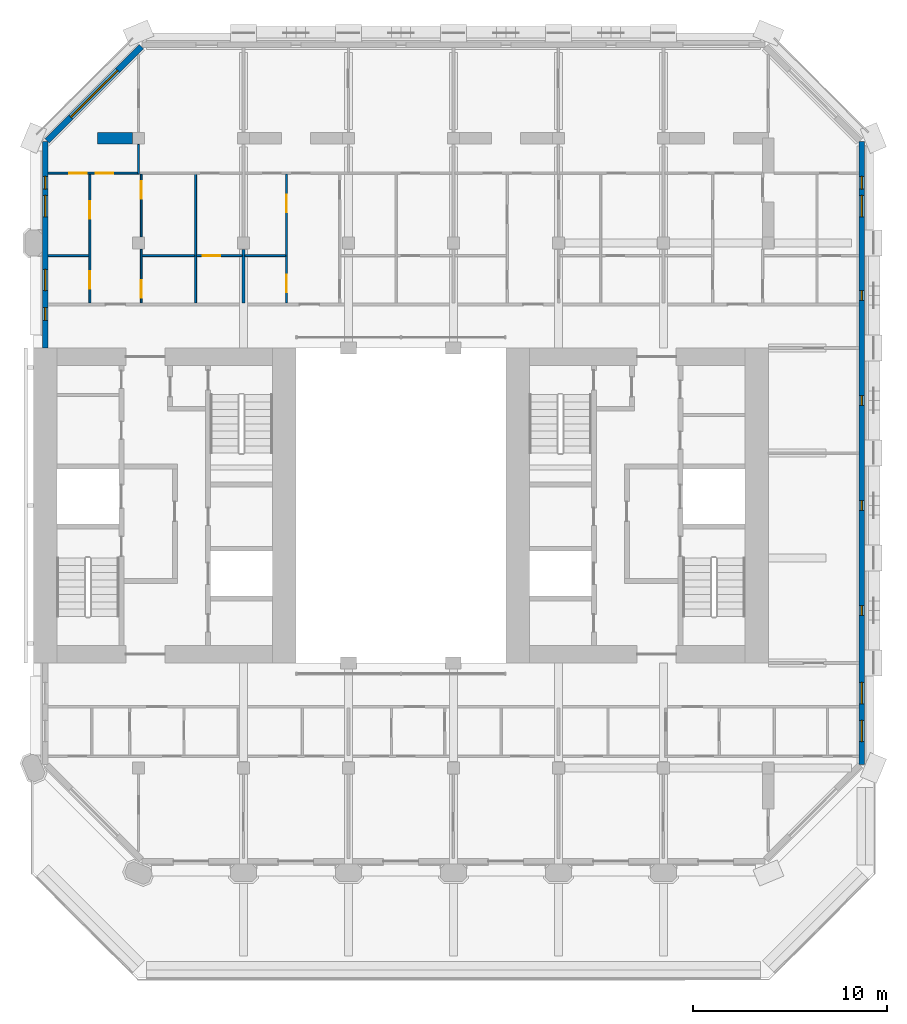
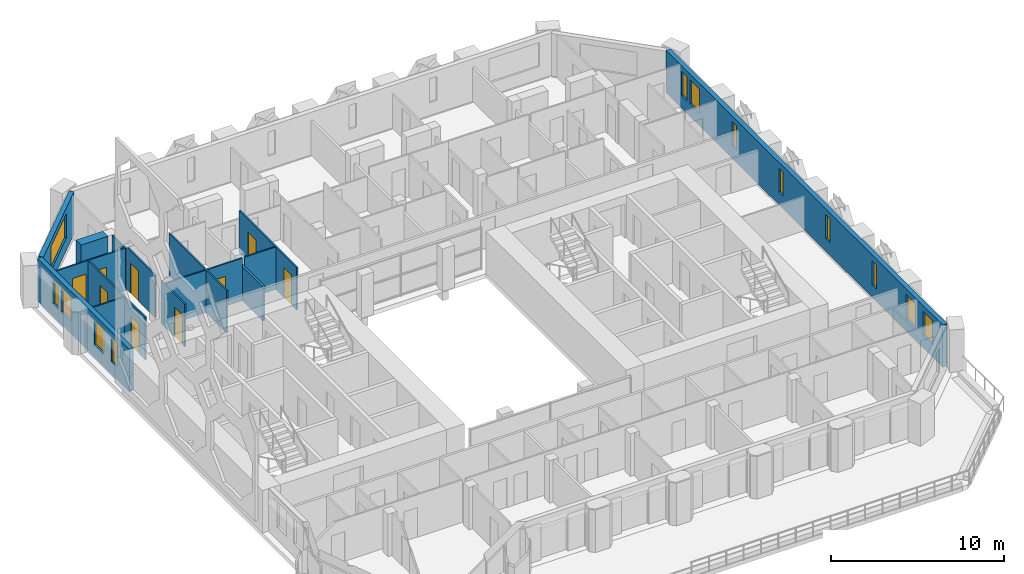
# One storey, part 11 of 17: 16 walls, 13 windows, 9 doors, 22 openings.
"""IFC4 building model written with IfcOpenShell, lengths in metres."""

from ifc_helpers import new_model, si_unit, direction, frame, frame_2d, origin, place, context, subcontext, project, spatial, rectangle, extrude, material, layer, layer_set, type_object, element, fill, save


model = new_model("IFC4")

# Units and contexts
model_context = context("Model", 3, precision=1e-05, world=origin(), true_north=direction((0.0, 1.0)))
body_context = subcontext(model_context, "Body", "Model", "MODEL_VIEW")
ifc_project = project(units=[si_unit("LENGTHUNIT", "METRE"), si_unit("AREAUNIT", "SQUARE_METRE"), si_unit("VOLUMEUNIT", "CUBIC_METRE"), si_unit("PLANEANGLEUNIT", "RADIAN"), si_unit("MASSUNIT", "GRAM", prefix="KILO")], contexts=[model_context])

# Site, building, storey
site_placement = place(None, origin())
site = spatial("IfcSite", under=ifc_project, at=site_placement, CompositionType="ELEMENT")
building_placement = place(site_placement, origin())
building = spatial("IfcBuilding", under=site, at=building_placement, Name="Tabaq Tower and Sports Hall", CompositionType="ELEMENT")
storey_placement = place(building_placement, frame((0.0, 0.0, 288.39990234375)))
storey = spatial("IfcBuildingStorey", under=building, at=storey_placement, Name="L71", CompositionType="ELEMENT", Elevation=288.39990234375)

# Wall
ifc_material_1 = material(Name="Gypsum board on steel studs", Category="steel")
ifc_layer_1 = layer(ifc_material_1, 0.10009765625)
ifc_layer_set_1 = layer_set([ifc_layer_1], Name="Partition 100 Gypsum board")
wall_type_1 = type_object("IfcWallType", Name="Partition 100 Gypsum board", PredefinedType="PARTITIONING", material=ifc_layer_set_1)
wall_1_placement = place(storey_placement, frame((10.800048828125, 41.35009765625, 0.0), z_axis=(0.0, 0.0, 1.0), x_axis=(0.0, 1.0, 0.0)))
element("IfcWall", 1, at=wall_1_placement, inside=storey, type_object=wall_type_1, Name="Partition wall L71", PredefinedType="PARTITIONING", context=body_context, shape_type="SweptSolid", body=[
    extrude(rectangle(XDim=1.52978515625, YDim=0.10009765625, at=frame_2d((0.764892578125, 0.0))), origin(), (0.0, 0.0, 1.0), 3.0),
])

# Wall, openings, doors
wall_2_placement = place(storey_placement, frame((6.15087890625, 41.39990234375, 0.0), z_axis=(0.0, 0.0, 1.0), x_axis=(1.0, 0.0, 0.0)))
wall_2 = element("IfcWall", 2, at=wall_2_placement, inside=storey, type_object=wall_type_1, Name="Partition wall L71", PredefinedType="PARTITIONING", context=body_context, shape_type="SweptSolid", body=[
    extrude(rectangle(XDim=4.59912109375, YDim=0.10009765625, at=frame_2d((2.299560546875, 0.0))), origin(), (0.0, 0.0, 1.0), 3.0),
])
opening_1_placement = place(wall_2_placement, frame((1.0791015625, 0.0, 0.0)))
opening_1 = element("IfcOpeningElement", 3, at=opening_1_placement, cuts=wall_2, Name="Opening L71-032", PredefinedType="OPENING", context=body_context, shape_type="SweptSolid", body=[
    extrude(rectangle(XDim=0.89990234375, YDim=2.10009765625, at=frame_2d((0.449951171875, 1.050048828125))), frame((0.0, 0.050048828125, 0.0), z_axis=(0.0, -1.0, 0.0), x_axis=(1.0, 0.0, 0.0)), (0.0, 0.0, 1.0), 0.10009765625),
])
opening_2_placement = place(wall_2_placement, frame((2.448974609375, 0.0, 0.0)))
opening_2 = element("IfcOpeningElement", 4, at=opening_2_placement, cuts=wall_2, Name="Opening L71-052", PredefinedType="OPENING", context=body_context, shape_type="SweptSolid", body=[
    extrude(rectangle(XDim=0.89990234375, YDim=2.10009765625, at=frame_2d((0.449951171875, 1.050048828125))), frame((0.0, 0.050048828125, 0.0), z_axis=(0.0, -1.0, 0.0), x_axis=(1.0, 0.0, 0.0)), (0.0, 0.0, 1.0), 0.10009765625),
])
ifc_material_2 = material(Name="Timber leaf in steel frame", Category="steel")
door_type_1 = type_object("IfcDoorType", Name="Internal door 900 left hand", OperationType="SINGLE_SWING_LEFT", PredefinedType="DOOR", material=ifc_material_2)
door_1_placement = place(opening_2_placement, origin())
door_1 = element("IfcDoor", 5, at=door_1_placement, inside=storey, type_object=door_type_1, Name="Internal door L71-052", OperationType="SINGLE_SWING_LEFT", OverallHeight=2.10009765625, OverallWidth=0.89990234375, PredefinedType="DOOR", context=body_context, shape_type="SweptSolid", body=[
    extrude(rectangle(XDim=0.89990234375, YDim=2.10009765625, at=frame_2d((0.449951171875, 1.050048828125))), frame((0.0, 0.02490234375, 0.0), z_axis=(0.0, -1.0, 0.0), x_axis=(1.0, 0.0, 0.0)), (0.0, 0.0, 1.0), 0.050048828125),
])
fill(opening_2, door_1)
ifc_material_3 = material(Name="Timber leaf in steel frame", Category="steel")
door_type_2 = type_object("IfcDoorType", Name="Internal door 900 right hand", OperationType="SINGLE_SWING_RIGHT", PredefinedType="DOOR", material=ifc_material_3)
door_2_placement = place(opening_1_placement, origin())
door_2 = element("IfcDoor", 6, at=door_2_placement, inside=storey, type_object=door_type_2, Name="Internal door L71-032", OperationType="SINGLE_SWING_RIGHT", OverallHeight=2.10009765625, OverallWidth=0.89990234375, PredefinedType="DOOR", context=body_context, shape_type="SweptSolid", body=[
    extrude(rectangle(XDim=0.89990234375, YDim=2.10009765625, at=frame_2d((0.449951171875, 1.050048828125))), frame((0.0, 0.02490234375, 0.0), z_axis=(0.0, -1.0, 0.0), x_axis=(1.0, 0.0, 0.0)), (0.0, 0.0, 1.0), 0.050048828125),
])
fill(opening_1, door_2)

# Wall
wall_3_placement = place(storey_placement, frame((6.15087890625, 37.14990234375, 0.0), z_axis=(0.0, 0.0, 1.0), x_axis=(1.0, 0.0, 0.0)))
element("IfcWall", 7, at=wall_3_placement, inside=storey, type_object=wall_type_1, Name="Partition wall L71", PredefinedType="PARTITIONING", context=body_context, shape_type="SweptSolid", body=[
    extrude(rectangle(XDim=2.09912109375, YDim=0.10009765625, at=frame_2d((1.049560546875, 0.0))), origin(), (0.0, 0.0, 1.0), 3.0),
])

# Wall, openings, doors
wall_4_placement = place(storey_placement, frame((8.300048828125, 34.72509765625, 0.0), z_axis=(0.0, 0.0, 1.0), x_axis=(0.0, 1.0, 0.0)))
wall_4 = element("IfcWall", 8, at=wall_4_placement, inside=storey, type_object=wall_type_1, Name="Partition wall L71", PredefinedType="PARTITIONING", context=body_context, shape_type="SweptSolid", body=[
    extrude(rectangle(XDim=6.625, YDim=0.10009765625, at=frame_2d((3.3125, 0.0))), origin(), (0.0, 0.0, 1.0), 3.0),
])
opening_3_placement = place(wall_4_placement, frame((0.72509765625, 0.0, 0.0)))
opening_3 = element("IfcOpeningElement", 9, at=opening_3_placement, cuts=wall_4, Name="Opening L71-001", PredefinedType="OPENING", context=body_context, shape_type="SweptSolid", body=[
    extrude(rectangle(XDim=0.89990234375, YDim=2.10009765625, at=frame_2d((0.449951171875, 1.050048828125))), frame((0.0, 0.050048828125, 0.0), z_axis=(0.0, -1.0, 0.0), x_axis=(1.0, 0.0, 0.0)), (0.0, 0.0, 1.0), 0.10009765625),
])
opening_4_placement = place(wall_4_placement, frame((4.3291015625, 0.0, 0.0)))
opening_4 = element("IfcOpeningElement", 10, at=opening_4_placement, cuts=wall_4, Name="Opening L71-034", PredefinedType="OPENING", context=body_context, shape_type="SweptSolid", body=[
    extrude(rectangle(XDim=0.89990234375, YDim=2.10009765625, at=frame_2d((0.449951171875, 1.050048828125))), frame((0.0, 0.050048828125, 0.0), z_axis=(0.0, -1.0, 0.0), x_axis=(1.0, 0.0, 0.0)), (0.0, 0.0, 1.0), 0.10009765625),
])
door_3_placement = place(opening_3_placement, origin())
door_3 = element("IfcDoor", 11, at=door_3_placement, inside=storey, type_object=door_type_1, Name="Internal door L71-001", OperationType="SINGLE_SWING_LEFT", OverallHeight=2.10009765625, OverallWidth=0.89990234375, PredefinedType="DOOR", context=body_context, shape_type="SweptSolid", body=[
    extrude(rectangle(XDim=0.89990234375, YDim=2.10009765625, at=frame_2d((0.449951171875, 1.050048828125))), frame((0.0, 0.02490234375, 0.0), z_axis=(0.0, -1.0, 0.0), x_axis=(1.0, 0.0, 0.0)), (0.0, 0.0, 1.0), 0.050048828125),
])
fill(opening_3, door_3)
door_4_placement = place(opening_4_placement, origin())
door_4 = element("IfcDoor", 12, at=door_4_placement, inside=storey, type_object=door_type_2, Name="Internal door L71-034", OperationType="SINGLE_SWING_RIGHT", OverallHeight=2.10009765625, OverallWidth=0.89990234375, PredefinedType="DOOR", context=body_context, shape_type="SweptSolid", body=[
    extrude(rectangle(XDim=0.89990234375, YDim=2.10009765625, at=frame_2d((0.449951171875, 1.050048828125))), frame((0.0, 0.02490234375, 0.0), z_axis=(0.0, -1.0, 0.0), x_axis=(1.0, 0.0, 0.0)), (0.0, 0.0, 1.0), 0.050048828125),
])
fill(opening_4, door_4)

# Wall, opening, door
wall_5_placement = place(storey_placement, frame((10.93994140625, 34.72509765625, 0.0), z_axis=(0.0, 0.0, 1.0), x_axis=(0.0, 1.0, 0.0)))
wall_5 = element("IfcWall", 13, at=wall_5_placement, inside=storey, type_object=wall_type_1, Name="Partition wall L71", PredefinedType="PARTITIONING", context=body_context, shape_type="SweptSolid", body=[
    extrude(rectangle(XDim=2.7548828125, YDim=0.10009765625, at=frame_2d((1.37744140625, 0.0))), origin(), (0.0, 0.0, 1.0), 3.0),
])
opening_5_placement = place(wall_5_placement, frame((0.25, 0.0, 0.0)))
opening_5 = element("IfcOpeningElement", 14, at=opening_5_placement, cuts=wall_5, Name="Opening L71-003", PredefinedType="OPENING", context=body_context, shape_type="SweptSolid", body=[
    extrude(rectangle(XDim=0.89990234375, YDim=2.10009765625, at=frame_2d((0.449951171875, 1.050048828125))), frame((0.0, 0.050048828125, 0.0), z_axis=(0.0, -1.0, 0.0), x_axis=(1.0, 0.0, 0.0)), (0.0, 0.0, 1.0), 0.10009765625),
])
door_5_placement = place(opening_5_placement, origin())
door_5 = element("IfcDoor", 15, at=door_5_placement, inside=storey, type_object=door_type_2, Name="Internal door L71-003", OperationType="SINGLE_SWING_RIGHT", OverallHeight=2.10009765625, OverallWidth=0.89990234375, PredefinedType="DOOR", context=body_context, shape_type="SweptSolid", body=[
    extrude(rectangle(XDim=0.89990234375, YDim=2.10009765625, at=frame_2d((0.449951171875, 1.050048828125))), frame((0.0, 0.02490234375, 0.0), z_axis=(0.0, -1.0, 0.0), x_axis=(1.0, 0.0, 0.0)), (0.0, 0.0, 1.0), 0.050048828125),
])
fill(opening_5, door_5)

wall_6_placement = place(storey_placement, frame((10.93994140625, 38.1201171875, 0.0), z_axis=(0.0, 0.0, 1.0), x_axis=(0.0, 1.0, 0.0)))
wall_6 = element("IfcWall", 16, at=wall_6_placement, inside=storey, type_object=wall_type_1, Name="Partition wall L71", PredefinedType="PARTITIONING", context=body_context, shape_type="SweptSolid", body=[
    extrude(rectangle(XDim=3.22998046875, YDim=0.10009765625, at=frame_2d((1.614990234375, 0.0))), origin(), (0.0, 0.0, 1.0), 3.0),
])
opening_6_placement = place(wall_6_placement, frame((1.965087890625, 0.0, 0.0)))
opening_6 = element("IfcOpeningElement", 17, at=opening_6_placement, cuts=wall_6, Name="Opening L71-002", PredefinedType="OPENING", context=body_context, shape_type="SweptSolid", body=[
    extrude(rectangle(XDim=0.89990234375, YDim=2.10009765625, at=frame_2d((0.449951171875, 1.050048828125))), frame((0.0, 0.050048828125, 0.0), z_axis=(0.0, -1.0, 0.0), x_axis=(1.0, 0.0, 0.0)), (0.0, 0.0, 1.0), 0.10009765625),
])
door_6_placement = place(opening_6_placement, origin())
door_6 = element("IfcDoor", 18, at=door_6_placement, inside=storey, type_object=door_type_2, Name="Internal door L71-002", OperationType="SINGLE_SWING_RIGHT", OverallHeight=2.10009765625, OverallWidth=0.89990234375, PredefinedType="DOOR", context=body_context, shape_type="SweptSolid", body=[
    extrude(rectangle(XDim=0.89990234375, YDim=2.10009765625, at=frame_2d((0.449951171875, 1.050048828125))), frame((0.0, 0.02490234375, 0.0), z_axis=(0.0, -1.0, 0.0), x_axis=(1.0, 0.0, 0.0)), (0.0, 0.0, 1.0), 0.050048828125),
])
fill(opening_6, door_6)

# Walls
wall_7_placement = place(storey_placement, frame((10.989990234375, 37.14990234375, 0.0), z_axis=(0.0, 0.0, 1.0), x_axis=(1.0, 0.0, 0.0)))
element("IfcWall", 19, at=wall_7_placement, inside=storey, type_object=wall_type_1, Name="Partition wall L71", PredefinedType="PARTITIONING", context=body_context, shape_type="SweptSolid", body=[
    extrude(rectangle(XDim=2.699951171875, YDim=0.10009765625, at=frame_2d((1.35009765625, 0.0))), origin(), (0.0, 0.0, 1.0), 3.0),
])
wall_8_placement = place(storey_placement, frame((13.739990234375, 34.72509765625, 0.0), z_axis=(0.0, 0.0, 1.0), x_axis=(0.0, 1.0, 0.0)))
element("IfcWall", 20, at=wall_8_placement, inside=storey, type_object=wall_type_1, Name="Partition wall L71", PredefinedType="PARTITIONING", context=body_context, shape_type="SweptSolid", body=[
    extrude(rectangle(XDim=6.625, YDim=0.10009765625, at=frame_2d((3.3125, 0.0))), origin(), (0.0, 0.0, 1.0), 3.0),
])

# Wall, opening, door
wall_9_placement = place(storey_placement, frame((13.7900390625, 37.14990234375, 0.0), z_axis=(0.0, 0.0, 1.0), x_axis=(1.0, 0.0, 0.0)))
wall_9 = element("IfcWall", 21, at=wall_9_placement, inside=storey, type_object=wall_type_1, Name="Partition wall L71", PredefinedType="PARTITIONING", context=body_context, shape_type="SweptSolid", body=[
    extrude(rectangle(XDim=2.3349609375, YDim=0.10009765625, at=frame_2d((1.16748046875, 0.0))), origin(), (0.0, 0.0, 1.0), 3.0),
])
opening_7_placement = place(wall_9_placement, frame((0.320068359375, 0.0, 0.0)))
opening_7 = element("IfcOpeningElement", 22, at=opening_7_placement, cuts=wall_9, Name="Opening L71-004", PredefinedType="OPENING", context=body_context, shape_type="SweptSolid", body=[
    extrude(rectangle(XDim=0.89990234375, YDim=2.10009765625, at=frame_2d((0.449951171875, 1.050048828125))), frame((0.0, 0.050048828125, 0.0), z_axis=(0.0, -1.0, 0.0), x_axis=(1.0, 0.0, 0.0)), (0.0, 0.0, 1.0), 0.10009765625),
])
door_7_placement = place(opening_7_placement, origin())
door_7 = element("IfcDoor", 23, at=door_7_placement, inside=storey, type_object=door_type_2, Name="Internal door L71-004", OperationType="SINGLE_SWING_RIGHT", OverallHeight=2.10009765625, OverallWidth=0.89990234375, PredefinedType="DOOR", context=body_context, shape_type="SweptSolid", body=[
    extrude(rectangle(XDim=0.89990234375, YDim=2.10009765625, at=frame_2d((0.449951171875, 1.050048828125))), frame((0.0, 0.02490234375, 0.0), z_axis=(0.0, -1.0, 0.0), x_axis=(1.0, 0.0, 0.0)), (0.0, 0.0, 1.0), 0.050048828125),
])
fill(opening_7, door_7)

# Wall
wall_10_placement = place(storey_placement, frame((16.27490234375, 37.14990234375, 0.0), z_axis=(0.0, 0.0, 1.0), x_axis=(1.0, 0.0, 0.0)))
element("IfcWall", 24, at=wall_10_placement, inside=storey, type_object=wall_type_1, Name="Partition wall L71", PredefinedType="PARTITIONING", context=body_context, shape_type="SweptSolid", body=[
    extrude(rectangle(XDim=2.087158203125, YDim=0.10009765625, at=frame_2d((1.04345703125, 0.0))), origin(), (0.0, 0.0, 1.0), 3.0),
])

# Wall, openings, doors
wall_11_placement = place(storey_placement, frame((18.412109375, 34.72509765625, 0.0), z_axis=(0.0, 0.0, 1.0), x_axis=(0.0, 1.0, 0.0)))
wall_11 = element("IfcWall", 25, at=wall_11_placement, inside=storey, type_object=wall_type_1, Name="Partition wall L71", PredefinedType="PARTITIONING", context=body_context, shape_type="SweptSolid", body=[
    extrude(rectangle(XDim=6.625, YDim=0.10009765625, at=frame_2d((3.3125, 0.0))), origin(), (0.0, 0.0, 1.0), 3.0),
])
opening_8_placement = place(wall_11_placement, frame((0.55810546875, 0.0, 0.0)))
opening_8 = element("IfcOpeningElement", 26, at=opening_8_placement, cuts=wall_11, Name="Opening L71-005", PredefinedType="OPENING", context=body_context, shape_type="SweptSolid", body=[
    extrude(rectangle(XDim=0.89990234375, YDim=2.10009765625, at=frame_2d((0.449951171875, 1.050048828125))), frame((0.0, 0.050048828125, 0.0), z_axis=(0.0, -1.0, 0.0), x_axis=(1.0, 0.0, 0.0)), (0.0, 0.0, 1.0), 0.10009765625),
])
opening_9_placement = place(wall_11_placement, frame((4.673095703125, 0.0, 0.0)))
opening_9 = element("IfcOpeningElement", 27, at=opening_9_placement, cuts=wall_11, Name="Opening L71-038", PredefinedType="OPENING", context=body_context, shape_type="SweptSolid", body=[
    extrude(rectangle(XDim=0.89990234375, YDim=2.10009765625, at=frame_2d((0.449951171875, 1.050048828125))), frame((0.0, 0.050048828125, 0.0), z_axis=(0.0, -1.0, 0.0), x_axis=(1.0, 0.0, 0.0)), (0.0, 0.0, 1.0), 0.10009765625),
])
door_8_placement = place(opening_9_placement, origin())
door_8 = element("IfcDoor", 28, at=door_8_placement, inside=storey, type_object=door_type_1, Name="Internal door L71-038", OperationType="SINGLE_SWING_LEFT", OverallHeight=2.10009765625, OverallWidth=0.89990234375, PredefinedType="DOOR", context=body_context, shape_type="SweptSolid", body=[
    extrude(rectangle(XDim=0.89990234375, YDim=2.10009765625, at=frame_2d((0.449951171875, 1.050048828125))), frame((0.0, 0.02490234375, 0.0), z_axis=(0.0, -1.0, 0.0), x_axis=(1.0, 0.0, 0.0)), (0.0, 0.0, 1.0), 0.050048828125),
])
fill(opening_9, door_8)
door_9_placement = place(opening_8_placement, origin())
door_9 = element("IfcDoor", 29, at=door_9_placement, inside=storey, type_object=door_type_2, Name="Internal door L71-005", OperationType="SINGLE_SWING_RIGHT", OverallHeight=2.10009765625, OverallWidth=0.89990234375, PredefinedType="DOOR", context=body_context, shape_type="SweptSolid", body=[
    extrude(rectangle(XDim=0.89990234375, YDim=2.10009765625, at=frame_2d((0.449951171875, 1.050048828125))), frame((0.0, 0.02490234375, 0.0), z_axis=(0.0, -1.0, 0.0), x_axis=(1.0, 0.0, 0.0)), (0.0, 0.0, 1.0), 0.050048828125),
])
fill(opening_8, door_9)

# Walls
ifc_material_4 = material(Name="Concrete C40/50", Category="concrete")
ifc_layer_2 = layer(ifc_material_4, 0.60009765625)
ifc_layer_set_2 = layer_set([ifc_layer_2], Name="RC TRANSFER WALL 600 C40/50")
wall_type_2 = type_object("IfcWallType", Name="RC TRANSFER WALL 600 C40/50", PredefinedType="SHEAR", material=ifc_layer_set_2)
wall_12_placement = place(storey_placement, frame((8.699951171875, 43.199951171875, 0.0), z_axis=(0.0, 0.0, 1.0), x_axis=(1.0, 0.0, 0.0)))
element("IfcWall", 30, at=wall_12_placement, inside=storey, type_object=wall_type_2, Name="Transfer Wall L71 North 6", PredefinedType="SHEAR", context=body_context, shape_type="SweptSolid", body=[
    extrude(rectangle(XDim=1.800048828125, YDim=0.60009765625, at=frame_2d((0.89990234375, 0.0))), origin(), (0.0, 0.0, 1.0), 3.0),
])
ifc_material_5 = material(Name="Blockwork", Category="masonry")
ifc_layer_3 = layer(ifc_material_5, 0.14990234375)
ifc_layer_set_3 = layer_set([ifc_layer_3], Name="Separating wall 150 Blockwork")
wall_type_3 = type_object("IfcWallType", Name="Separating wall 150 Blockwork", PredefinedType="PARTITIONING", material=ifc_layer_set_3)
wall_13_placement = place(storey_placement, frame((16.199951171875, 34.72509765625, 0.0), z_axis=(0.0, 0.0, 1.0), x_axis=(0.0, 1.0, 0.0)))
element("IfcWall", 31, at=wall_13_placement, inside=storey, type_object=wall_type_3, Name="Separating wall L71", PredefinedType="PARTITIONING", context=body_context, shape_type="SweptSolid", body=[
    extrude(rectangle(XDim=2.7548828125, YDim=0.14990234375, at=frame_2d((1.37744140625, 0.0))), origin(), (0.0, 0.0, 1.0), 2.400146484375),
])

# Wall, openings, windows
ifc_material_6 = material(Name="White precast concrete C60/75", Category="concrete")
ifc_layer_4 = layer(ifc_material_6, 0.300048828125)
ifc_layer_set_4 = layer_set([ifc_layer_4], Name="White precast concrete C60/75 external wall 300")
wall_type_4 = type_object("IfcWallType", Name="White precast concrete C60/75 external wall 300", PredefinedType="SOLIDWALL", material=ifc_layer_set_4)
wall_14_placement = place(storey_placement, frame((48.0, 10.986328125, 0.0), z_axis=(0.0, 0.0, 1.0), x_axis=(0.0, 1.0, 0.0)))
wall_14 = element("IfcWall", 32, at=wall_14_placement, inside=storey, type_object=wall_type_4, Name="External Wall L71 E", PredefinedType="SOLIDWALL", context=body_context, shape_type="SweptSolid", body=[
    extrude(rectangle(XDim=32.02734375, YDim=0.300048828125, at=frame_2d((16.013671875, 0.0))), origin(), (0.0, 0.0, 1.0), 3.0),
])
opening_10_placement = place(wall_14_placement, frame((1.16357421875, 0.0, 0.89990234375)))
opening_10 = element("IfcOpeningElement", 33, at=opening_10_placement, cuts=wall_14, Name="Opening W1B", PredefinedType="OPENING", context=body_context, shape_type="SweptSolid", body=[
    extrude(rectangle(XDim=1.10009765625, YDim=1.699951171875, at=frame_2d((0.550048828125, 0.85009765625))), frame((0.0, 0.16015625, 0.0), z_axis=(0.0, -1.0, 0.0), x_axis=(1.0, 0.0, 0.0)), (0.0, 0.0, 1.0), 0.320068359375),
])
opening_11_placement = place(wall_14_placement, frame((3.113525390625, 0.0, 0.89990234375)))
opening_11 = element("IfcOpeningElement", 34, at=opening_11_placement, cuts=wall_14, Name="Opening W1B", PredefinedType="OPENING", context=body_context, shape_type="SweptSolid", body=[
    extrude(rectangle(XDim=1.10009765625, YDim=1.699951171875, at=frame_2d((0.550048828125, 0.85009765625))), frame((0.0, 0.16015625, 0.0), z_axis=(0.0, -1.0, 0.0), x_axis=(1.0, 0.0, 0.0)), (0.0, 0.0, 1.0), 0.320068359375),
])
opening_12_placement = place(wall_14_placement, frame((7.66357421875, 0.0, 0.89990234375)))
opening_12 = element("IfcOpeningElement", 35, at=opening_12_placement, cuts=wall_14, Name="Opening W1E", PredefinedType="OPENING", context=body_context, shape_type="SweptSolid", body=[
    extrude(rectangle(XDim=0.5, YDim=1.699951171875, at=frame_2d((0.25, 0.85009765625))), frame((0.0, 0.16015625, 0.0), z_axis=(0.0, -1.0, 0.0), x_axis=(1.0, 0.0, 0.0)), (0.0, 0.0, 1.0), 0.320068359375),
])
opening_13_placement = place(wall_14_placement, frame((13.063720703125, 0.0, 0.89990234375)))
opening_13 = element("IfcOpeningElement", 36, at=opening_13_placement, cuts=wall_14, Name="Opening W1E", PredefinedType="OPENING", context=body_context, shape_type="SweptSolid", body=[
    extrude(rectangle(XDim=0.5, YDim=1.699951171875, at=frame_2d((0.25, 0.85009765625))), frame((0.0, 0.16015625, 0.0), z_axis=(0.0, -1.0, 0.0), x_axis=(1.0, 0.0, 0.0)), (0.0, 0.0, 1.0), 0.320068359375),
])
opening_14_placement = place(wall_14_placement, frame((18.463623046875, 0.0, 0.89990234375)))
opening_14 = element("IfcOpeningElement", 37, at=opening_14_placement, cuts=wall_14, Name="Opening W1E", PredefinedType="OPENING", context=body_context, shape_type="SweptSolid", body=[
    extrude(rectangle(XDim=0.5, YDim=1.699951171875, at=frame_2d((0.25, 0.85009765625))), frame((0.0, 0.16015625, 0.0), z_axis=(0.0, -1.0, 0.0), x_axis=(1.0, 0.0, 0.0)), (0.0, 0.0, 1.0), 0.320068359375),
])
opening_15_placement = place(wall_14_placement, frame((23.863525390625, 0.0, 0.89990234375)))
opening_15 = element("IfcOpeningElement", 38, at=opening_15_placement, cuts=wall_14, Name="Opening W1E", PredefinedType="OPENING", context=body_context, shape_type="SweptSolid", body=[
    extrude(rectangle(XDim=0.5, YDim=1.699951171875, at=frame_2d((0.25, 0.85009765625))), frame((0.0, 0.16015625, 0.0), z_axis=(0.0, -1.0, 0.0), x_axis=(1.0, 0.0, 0.0)), (0.0, 0.0, 1.0), 0.320068359375),
])
opening_16_placement = place(wall_14_placement, frame((28.16357421875, 0.0, 0.89990234375)))
opening_16 = element("IfcOpeningElement", 39, at=opening_16_placement, cuts=wall_14, Name="Opening W1B", PredefinedType="OPENING", context=body_context, shape_type="SweptSolid", body=[
    extrude(rectangle(XDim=1.10009765625, YDim=1.699951171875, at=frame_2d((0.550048828125, 0.85009765625))), frame((0.0, 0.16015625, 0.0), z_axis=(0.0, -1.0, 0.0), x_axis=(1.0, 0.0, 0.0)), (0.0, 0.0, 1.0), 0.320068359375),
])
opening_17_placement = place(wall_14_placement, frame((29.588623046875, 0.0, 0.89990234375)))
opening_17 = element("IfcOpeningElement", 40, at=opening_17_placement, cuts=wall_14, Name="Opening W1C", PredefinedType="OPENING", context=body_context, shape_type="SweptSolid", body=[
    extrude(rectangle(XDim=0.64990234375, YDim=1.699951171875, at=frame_2d((0.324951171875, 0.85009765625))), frame((0.0, 0.16015625, 0.0), z_axis=(0.0, -1.0, 0.0), x_axis=(1.0, 0.0, 0.0)), (0.0, 0.0, 1.0), 0.320068359375),
])
ifc_material_7 = material(Name="Aluminium framed clear glazing", Category="aluminium")
window_type_1 = type_object("IfcWindowType", Name="Window W1B", PartitioningType="SINGLE_PANEL", PredefinedType="WINDOW", material=ifc_material_7)
window_1_placement = place(opening_10_placement, origin())
window_1 = element("IfcWindow", 41, at=window_1_placement, inside=storey, type_object=window_type_1, Name="Window W1B L71", OverallHeight=1.699951171875, OverallWidth=1.10009765625, PartitioningType="SINGLE_PANEL", PredefinedType="WINDOW", context=body_context, shape_type="SweptSolid", body=[
    extrude(rectangle(XDim=1.10009765625, YDim=1.699951171875, at=frame_2d((0.550048828125, 0.85009765625))), frame((0.0, 0.030029296875, 0.0), z_axis=(0.0, -1.0, 0.0), x_axis=(1.0, 0.0, 0.0)), (0.0, 0.0, 1.0), 0.06005859375),
])
fill(opening_10, window_1)
window_2_placement = place(opening_11_placement, origin())
window_2 = element("IfcWindow", 42, at=window_2_placement, inside=storey, type_object=window_type_1, Name="Window W1B L71", OverallHeight=1.699951171875, OverallWidth=1.10009765625, PartitioningType="SINGLE_PANEL", PredefinedType="WINDOW", context=body_context, shape_type="SweptSolid", body=[
    extrude(rectangle(XDim=1.10009765625, YDim=1.699951171875, at=frame_2d((0.550048828125, 0.85009765625))), frame((0.0, 0.030029296875, 0.0), z_axis=(0.0, -1.0, 0.0), x_axis=(1.0, 0.0, 0.0)), (0.0, 0.0, 1.0), 0.06005859375),
])
fill(opening_11, window_2)
window_3_placement = place(opening_16_placement, origin())
window_3 = element("IfcWindow", 43, at=window_3_placement, inside=storey, type_object=window_type_1, Name="Window W1B L71", OverallHeight=1.699951171875, OverallWidth=1.10009765625, PartitioningType="SINGLE_PANEL", PredefinedType="WINDOW", context=body_context, shape_type="SweptSolid", body=[
    extrude(rectangle(XDim=1.10009765625, YDim=1.699951171875, at=frame_2d((0.550048828125, 0.85009765625))), frame((0.0, 0.030029296875, 0.0), z_axis=(0.0, -1.0, 0.0), x_axis=(1.0, 0.0, 0.0)), (0.0, 0.0, 1.0), 0.06005859375),
])
fill(opening_16, window_3)
ifc_material_8 = material(Name="Aluminium framed clear glazing", Category="aluminium")
window_type_2 = type_object("IfcWindowType", Name="Window W1C", PartitioningType="SINGLE_PANEL", PredefinedType="WINDOW", material=ifc_material_8)
window_4_placement = place(opening_17_placement, origin())
window_4 = element("IfcWindow", 44, at=window_4_placement, inside=storey, type_object=window_type_2, Name="Window W1C L71", OverallHeight=1.699951171875, OverallWidth=0.64990234375, PartitioningType="SINGLE_PANEL", PredefinedType="WINDOW", context=body_context, shape_type="SweptSolid", body=[
    extrude(rectangle(XDim=0.64990234375, YDim=1.699951171875, at=frame_2d((0.324951171875, 0.85009765625))), frame((0.0, 0.030029296875, 0.0), z_axis=(0.0, -1.0, 0.0), x_axis=(1.0, 0.0, 0.0)), (0.0, 0.0, 1.0), 0.06005859375),
])
fill(opening_17, window_4)
ifc_material_9 = material(Name="Aluminium framed clear glazing", Category="aluminium")
window_type_3 = type_object("IfcWindowType", Name="Window W1E", PartitioningType="SINGLE_PANEL", PredefinedType="WINDOW", material=ifc_material_9)
window_5_placement = place(opening_12_placement, origin())
window_5 = element("IfcWindow", 45, at=window_5_placement, inside=storey, type_object=window_type_3, Name="Window W1E L71", OverallHeight=1.699951171875, OverallWidth=0.5, PartitioningType="SINGLE_PANEL", PredefinedType="WINDOW", context=body_context, shape_type="SweptSolid", body=[
    extrude(rectangle(XDim=0.5, YDim=1.699951171875, at=frame_2d((0.25, 0.85009765625))), frame((0.0, 0.030029296875, 0.0), z_axis=(0.0, -1.0, 0.0), x_axis=(1.0, 0.0, 0.0)), (0.0, 0.0, 1.0), 0.06005859375),
])
fill(opening_12, window_5)
window_6_placement = place(opening_13_placement, origin())
window_6 = element("IfcWindow", 46, at=window_6_placement, inside=storey, type_object=window_type_3, Name="Window W1E L71", OverallHeight=1.699951171875, OverallWidth=0.5, PartitioningType="SINGLE_PANEL", PredefinedType="WINDOW", context=body_context, shape_type="SweptSolid", body=[
    extrude(rectangle(XDim=0.5, YDim=1.699951171875, at=frame_2d((0.25, 0.85009765625))), frame((0.0, 0.030029296875, 0.0), z_axis=(0.0, -1.0, 0.0), x_axis=(1.0, 0.0, 0.0)), (0.0, 0.0, 1.0), 0.06005859375),
])
fill(opening_13, window_6)
window_7_placement = place(opening_14_placement, origin())
window_7 = element("IfcWindow", 47, at=window_7_placement, inside=storey, type_object=window_type_3, Name="Window W1E L71", OverallHeight=1.699951171875, OverallWidth=0.5, PartitioningType="SINGLE_PANEL", PredefinedType="WINDOW", context=body_context, shape_type="SweptSolid", body=[
    extrude(rectangle(XDim=0.5, YDim=1.699951171875, at=frame_2d((0.25, 0.85009765625))), frame((0.0, 0.030029296875, 0.0), z_axis=(0.0, -1.0, 0.0), x_axis=(1.0, 0.0, 0.0)), (0.0, 0.0, 1.0), 0.06005859375),
])
fill(opening_14, window_7)
window_8_placement = place(opening_15_placement, origin())
window_8 = element("IfcWindow", 48, at=window_8_placement, inside=storey, type_object=window_type_3, Name="Window W1E L71", OverallHeight=1.699951171875, OverallWidth=0.5, PartitioningType="SINGLE_PANEL", PredefinedType="WINDOW", context=body_context, shape_type="SweptSolid", body=[
    extrude(rectangle(XDim=0.5, YDim=1.699951171875, at=frame_2d((0.25, 0.85009765625))), frame((0.0, 0.030029296875, 0.0), z_axis=(0.0, -1.0, 0.0), x_axis=(1.0, 0.0, 0.0)), (0.0, 0.0, 1.0), 0.06005859375),
])
fill(opening_15, window_8)

# Wall, opening, window
wall_15_placement = place(storey_placement, frame((10.949462890625, 47.901123046875, 0.0), z_axis=(0.0, 0.0, 1.0), x_axis=(-0.707106781187, -0.707106781187, 0.0)))
wall_15 = element("IfcWall", 49, at=wall_15_placement, inside=storey, type_object=wall_type_4, Name="External Wall L71 NW", PredefinedType="SOLIDWALL", context=body_context, shape_type="SweptSolid", body=[
    extrude(rectangle(XDim=6.85986328125, YDim=0.300048828125, at=frame_2d((3.429931640625, 0.0))), origin(), (0.0, 0.0, 1.0), 3.0),
])
opening_18_placement = place(wall_15_placement, frame((1.729736328125, 0.0, 0.89990234375)))
opening_18 = element("IfcOpeningElement", 50, at=opening_18_placement, cuts=wall_15, Name="Opening W1A", PredefinedType="OPENING", context=body_context, shape_type="SweptSolid", body=[
    extrude(rectangle(XDim=3.39990234375, YDim=1.699951171875, at=frame_2d((1.699951171875, 0.85009765625))), frame((0.0, 0.16015625, 0.0), z_axis=(0.0, -1.0, 0.0), x_axis=(1.0, 0.0, 0.0)), (0.0, 0.0, 1.0), 0.320068359375),
])
ifc_material_10 = material(Name="Aluminium framed clear glazing", Category="aluminium")
window_type_4 = type_object("IfcWindowType", Name="Window W1A", PartitioningType="SINGLE_PANEL", PredefinedType="WINDOW", material=ifc_material_10)
window_9_placement = place(opening_18_placement, origin())
window_9 = element("IfcWindow", 51, at=window_9_placement, inside=storey, type_object=window_type_4, Name="Window W1A L71", OverallHeight=1.699951171875, OverallWidth=3.39990234375, PartitioningType="SINGLE_PANEL", PredefinedType="WINDOW", context=body_context, shape_type="SweptSolid", body=[
    extrude(rectangle(XDim=3.39990234375, YDim=1.699951171875, at=frame_2d((1.699951171875, 0.85009765625))), frame((0.0, 0.030029296875, 0.0), z_axis=(0.0, -1.0, 0.0), x_axis=(1.0, 0.0, 0.0)), (0.0, 0.0, 1.0), 0.06005859375),
])
fill(opening_18, window_9)

# Wall, openings, windows
wall_16_placement = place(storey_placement, frame((6.0, 43.013671875, 0.0), z_axis=(0.0, 0.0, 1.0), x_axis=(0.0, -1.0, 0.0)))
wall_16 = element("IfcWall", 52, at=wall_16_placement, inside=storey, type_object=wall_type_4, Name="External Wall L71 W", PredefinedType="SOLIDWALL", context=body_context, shape_type="SweptSolid", body=[
    extrude(rectangle(XDim=10.61376953125, YDim=0.300048828125, at=frame_2d((5.306884765625, 0.0))), origin(), (0.0, 0.0, 1.0), 3.0),
])
opening_19_placement = place(wall_16_placement, frame((1.78857421875, 0.0, 0.89990234375)))
opening_19 = element("IfcOpeningElement", 53, at=opening_19_placement, cuts=wall_16, Name="Opening W1C", PredefinedType="OPENING", context=body_context, shape_type="SweptSolid", body=[
    extrude(rectangle(XDim=0.64990234375, YDim=1.699951171875, at=frame_2d((0.324951171875, 0.85009765625))), frame((0.0, 0.16015625, 0.0), z_axis=(0.0, -1.0, 0.0), x_axis=(1.0, 0.0, 0.0)), (0.0, 0.0, 1.0), 0.320068359375),
])
opening_20_placement = place(wall_16_placement, frame((2.763671875, 0.0, 0.89990234375)))
opening_20 = element("IfcOpeningElement", 54, at=opening_20_placement, cuts=wall_16, Name="Opening W1B", PredefinedType="OPENING", context=body_context, shape_type="SweptSolid", body=[
    extrude(rectangle(XDim=1.10009765625, YDim=1.699951171875, at=frame_2d((0.550048828125, 0.85009765625))), frame((0.0, 0.16015625, 0.0), z_axis=(0.0, -1.0, 0.0), x_axis=(1.0, 0.0, 0.0)), (0.0, 0.0, 1.0), 0.320068359375),
])
opening_21_placement = place(wall_16_placement, frame((6.563720703125, 0.0, 0.89990234375)))
opening_21 = element("IfcOpeningElement", 55, at=opening_21_placement, cuts=wall_16, Name="Opening W1B", PredefinedType="OPENING", context=body_context, shape_type="SweptSolid", body=[
    extrude(rectangle(XDim=1.10009765625, YDim=1.699951171875, at=frame_2d((0.550048828125, 0.85009765625))), frame((0.0, 0.16015625, 0.0), z_axis=(0.0, -1.0, 0.0), x_axis=(1.0, 0.0, 0.0)), (0.0, 0.0, 1.0), 0.320068359375),
])
opening_22_placement = place(wall_16_placement, frame((8.53857421875, 0.0, 0.89990234375)))
opening_22 = element("IfcOpeningElement", 56, at=opening_22_placement, cuts=wall_16, Name="Opening W1C", PredefinedType="OPENING", context=body_context, shape_type="SweptSolid", body=[
    extrude(rectangle(XDim=0.64990234375, YDim=1.699951171875, at=frame_2d((0.324951171875, 0.85009765625))), frame((0.0, 0.16015625, 0.0), z_axis=(0.0, -1.0, 0.0), x_axis=(1.0, 0.0, 0.0)), (0.0, 0.0, 1.0), 0.320068359375),
])
window_10_placement = place(opening_20_placement, origin())
window_10 = element("IfcWindow", 57, at=window_10_placement, inside=storey, type_object=window_type_1, Name="Window W1B L71", OverallHeight=1.699951171875, OverallWidth=1.10009765625, PartitioningType="SINGLE_PANEL", PredefinedType="WINDOW", context=body_context, shape_type="SweptSolid", body=[
    extrude(rectangle(XDim=1.10009765625, YDim=1.699951171875, at=frame_2d((0.550048828125, 0.85009765625))), frame((0.0, 0.030029296875, 0.0), z_axis=(0.0, -1.0, 0.0), x_axis=(1.0, 0.0, 0.0)), (0.0, 0.0, 1.0), 0.06005859375),
])
fill(opening_20, window_10)
window_11_placement = place(opening_21_placement, origin())
window_11 = element("IfcWindow", 58, at=window_11_placement, inside=storey, type_object=window_type_1, Name="Window W1B L71", OverallHeight=1.699951171875, OverallWidth=1.10009765625, PartitioningType="SINGLE_PANEL", PredefinedType="WINDOW", context=body_context, shape_type="SweptSolid", body=[
    extrude(rectangle(XDim=1.10009765625, YDim=1.699951171875, at=frame_2d((0.550048828125, 0.85009765625))), frame((0.0, 0.030029296875, 0.0), z_axis=(0.0, -1.0, 0.0), x_axis=(1.0, 0.0, 0.0)), (0.0, 0.0, 1.0), 0.06005859375),
])
fill(opening_21, window_11)
window_12_placement = place(opening_19_placement, origin())
window_12 = element("IfcWindow", 59, at=window_12_placement, inside=storey, type_object=window_type_2, Name="Window W1C L71", OverallHeight=1.699951171875, OverallWidth=0.64990234375, PartitioningType="SINGLE_PANEL", PredefinedType="WINDOW", context=body_context, shape_type="SweptSolid", body=[
    extrude(rectangle(XDim=0.64990234375, YDim=1.699951171875, at=frame_2d((0.324951171875, 0.85009765625))), frame((0.0, 0.030029296875, 0.0), z_axis=(0.0, -1.0, 0.0), x_axis=(1.0, 0.0, 0.0)), (0.0, 0.0, 1.0), 0.06005859375),
])
fill(opening_19, window_12)
window_13_placement = place(opening_22_placement, origin())
window_13 = element("IfcWindow", 60, at=window_13_placement, inside=storey, type_object=window_type_2, Name="Window W1C L71", OverallHeight=1.699951171875, OverallWidth=0.64990234375, PartitioningType="SINGLE_PANEL", PredefinedType="WINDOW", context=body_context, shape_type="SweptSolid", body=[
    extrude(rectangle(XDim=0.64990234375, YDim=1.699951171875, at=frame_2d((0.324951171875, 0.85009765625))), frame((0.0, 0.030029296875, 0.0), z_axis=(0.0, -1.0, 0.0), x_axis=(1.0, 0.0, 0.0)), (0.0, 0.0, 1.0), 0.06005859375),
])
fill(opening_22, window_13)

save(model, "model.ifc")
